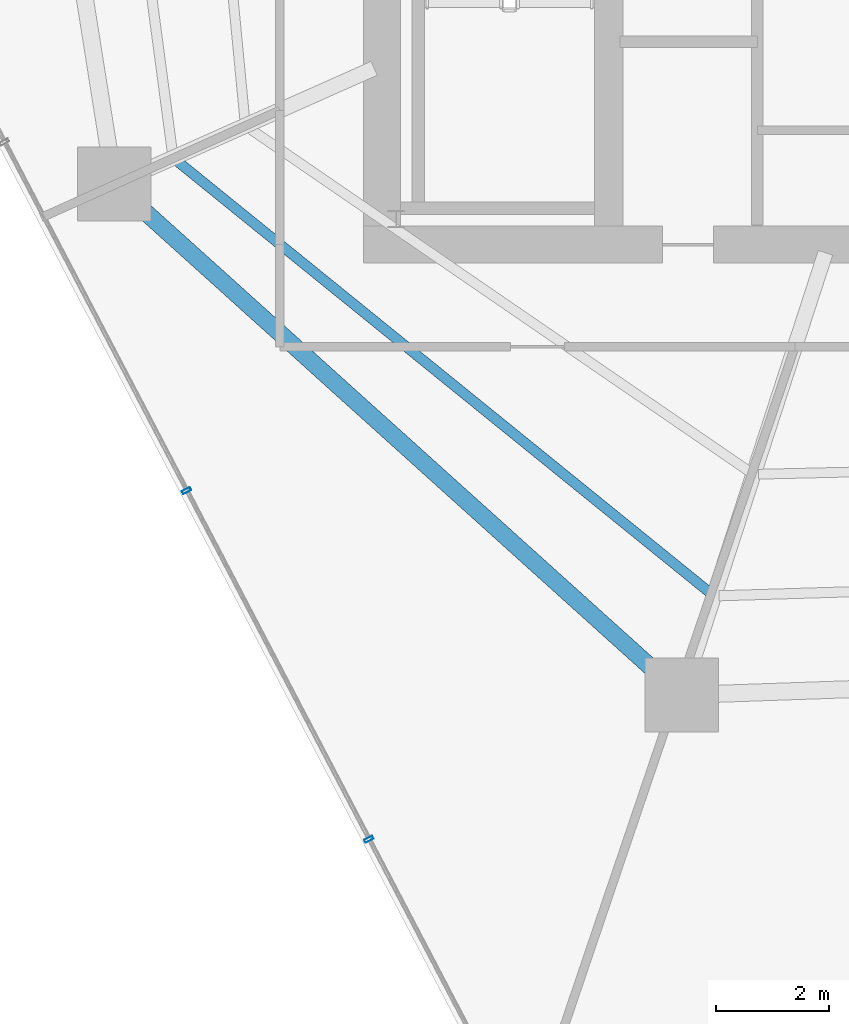
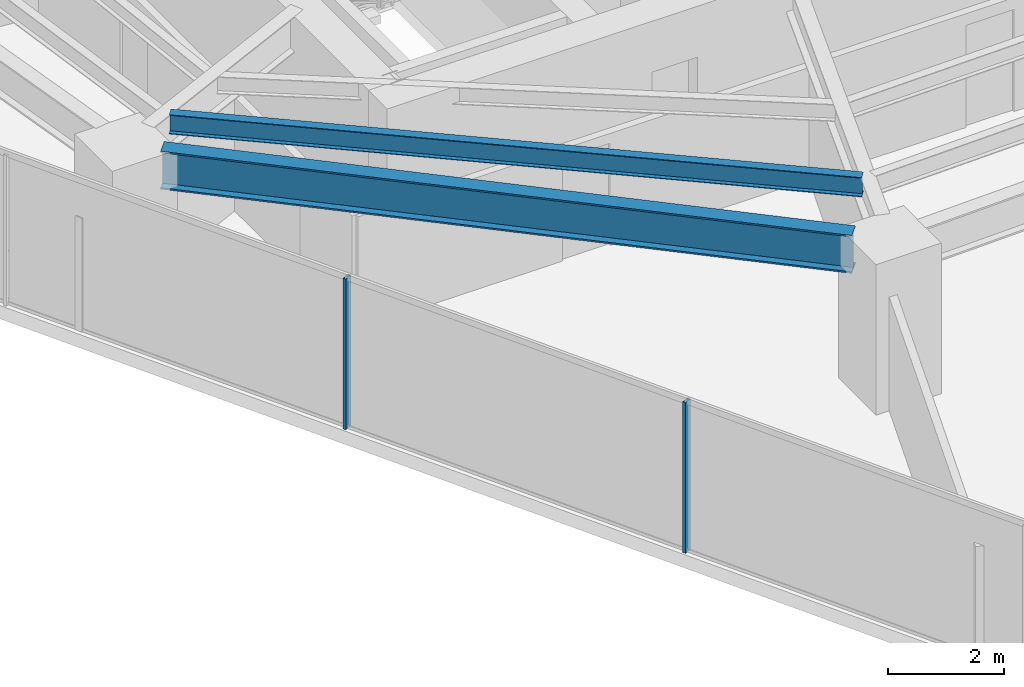
# One storey, part 3 of 30: 2 beams, 2 members, 1 element without a shape of its own.
"""IFC4 building model written with IfcOpenShell, lengths in metres."""

from ifc_helpers import new_model, si_unit, direction, frame, origin, origin_2d, place, context, subcontext, project, spatial, hollow_rectangle, i_section, extrude, material, layer, layer_set, material_profile, profile_set, type_object, element, aggregate, save


model = new_model("IFC4")

# Units and contexts
model_context = context("Model", 3, precision=1e-05, world=origin(), true_north=direction((0.0, 1.0)))
body_context = subcontext(model_context, "Body", "Model", "MODEL_VIEW")
ifc_project = project(units=[si_unit("LENGTHUNIT", "METRE"), si_unit("AREAUNIT", "SQUARE_METRE"), si_unit("VOLUMEUNIT", "CUBIC_METRE"), si_unit("PLANEANGLEUNIT", "RADIAN"), si_unit("MASSUNIT", "GRAM", prefix="KILO")], contexts=[model_context])

# Site, building, storey
site_placement = place(None, origin())
site = spatial("IfcSite", under=ifc_project, at=site_placement, CompositionType="ELEMENT")
building_placement = place(site_placement, origin())
building = spatial("IfcBuilding", under=site, at=building_placement, Name="Qarnah Convention Tower", CompositionType="ELEMENT")
storey_placement = place(building_placement, frame((0.0, 0.0, 58.050048828125)))
storey = spatial("IfcBuildingStorey", under=building, at=storey_placement, Name="L14", CompositionType="ELEMENT", Elevation=58.050048828125)

# Beams
ifc_material_1 = material(Name="Structural steel S355JR", Category="steel")
ifc_material_profile_1 = material_profile(ifc_material_1, i_section(OverallWidth=0.177978515625, OverallDepth=0.407958984375, WebThickness=0.008056640625, FlangeThickness=0.012939453125, at=origin_2d()), Name="W410X60")
ifc_profile_set_1 = profile_set([ifc_material_profile_1], Name="Structural steel S355JR")
beam_type_1 = type_object("IfcBeamType", Name="BM-JST-W410", PredefinedType="JOIST", material=ifc_profile_set_1)
beam_1_placement = place(storey_placement, frame((23.18896484375, 20.073974609375, 2.966064453125), z_axis=(0.777068026563, -0.629416620445, 0.0), x_axis=(0.629416620445, 0.777068026563, 0.0)))
element("IfcBeam", 1, at=beam_1_placement, inside=storey, type_object=beam_type_1, Name="L14 joist BM-L14-SJST-06", PredefinedType="JOIST", context=body_context, shape_type="SweptSolid", body=[
    extrude(i_section(OverallWidth=0.177978515625, OverallDepth=0.407958984375, WebThickness=0.008056640625, FlangeThickness=0.012939453125, at=origin_2d()), origin(), (0.0, 0.0, 1.0), 12.09033203125),
])
ifc_material_profile_2 = material_profile(ifc_material_1, i_section(OverallWidth=0.300048828125, OverallDepth=0.800048828125, WebThickness=0.01806640625, FlangeThickness=0.032958984375, at=origin_2d()), Name="HEB800")
ifc_profile_set_2 = profile_set([ifc_material_profile_2], Name="Structural steel S355JR")
beam_type_2 = type_object("IfcBeamType", Name="BM-RING-HEB800", PredefinedType="BEAM", material=ifc_profile_set_2)
beam_2_placement = place(storey_placement, frame((22.556884765625, 19.240966796875, 2.77001953125), z_axis=(0.743082870291, -0.669199408159, 0.0), x_axis=(0.669199408159, 0.743082870291, 0.0)))
element("IfcBeam", 2, at=beam_2_placement, inside=storey, type_object=beam_type_2, Name="L14 beam BM-L14-SPN-06", PredefinedType="BEAM", context=body_context, shape_type="SweptSolid", body=[
    extrude(i_section(OverallWidth=0.300048828125, OverallDepth=0.800048828125, WebThickness=0.01806640625, FlangeThickness=0.032958984375, at=origin_2d()), origin(), (0.0, 0.0, 1.0), 12.183349609375),
])

# Curtain wall, members
ifc_material_2 = material(Name="Tempered Low-E dark glass", Category="glass")
ifc_layer = layer(ifc_material_2, 0.16796875)
ifc_layer_set = layer_set([ifc_layer], Name="Tempered Low-E dark glass")
curtain_wall_type = type_object("IfcCurtainWallType", Name="CWS-01", PredefinedType="NOTDEFINED", material=ifc_layer_set)
curtain_wall_placement = place(storey_placement, origin())
curtain_wall = element("IfcCurtainWall", 3, at=curtain_wall_placement, inside=storey, type_object=curtain_wall_type, Name="L14 unitised curtain wall CW-L14-F1", PredefinedType="NOTDEFINED")
ifc_material_3 = material(Name="Black anodised aluminium", Category="aluminium")
ifc_material_profile_3 = material_profile(ifc_material_3, hollow_rectangle(XDim=0.06005859375, YDim=0.159912109375, WallThickness=0.00390625, at=origin_2d()), Name="MUL-60X160")
ifc_profile_set_3 = profile_set([ifc_material_profile_3], Name="Black anodised aluminium")
member_type = type_object("IfcMemberType", Name="MUL-T1", PredefinedType="MULLION", material=ifc_profile_set_3)
member_1_placement = place(storey_placement, frame((26.570068359375, 8.117919921875, 0.0), z_axis=(0.0, 0.0, 1.0), x_axis=(-0.463290234921, 0.886206611478, 0.0)))
member_1 = element("IfcMember", 4, at=member_1_placement, type_object=member_type, Name="CW-L14-F1 mullion 2", PredefinedType="MULLION", context=body_context, shape_type="SweptSolid", body=[
    extrude(hollow_rectangle(XDim=0.06005859375, YDim=0.159912109375, WallThickness=0.00390625, at=origin_2d()), origin(), (0.0, 0.0, 1.0), 3.169921875),
])
member_2_placement = place(storey_placement, frame((23.35693359375, 14.263916015625, 0.0), z_axis=(0.0, 0.0, 1.0), x_axis=(-0.463290234921, 0.886206611478, 0.0)))
member_2 = element("IfcMember", 5, at=member_2_placement, type_object=member_type, Name="CW-L14-F1 mullion 3", PredefinedType="MULLION", context=body_context, shape_type="SweptSolid", body=[
    extrude(hollow_rectangle(XDim=0.06005859375, YDim=0.159912109375, WallThickness=0.00390625, at=origin_2d()), origin(), (0.0, 0.0, 1.0), 3.169921875),
])
aggregate(curtain_wall, [member_1, member_2])

save(model, "model.ifc")
